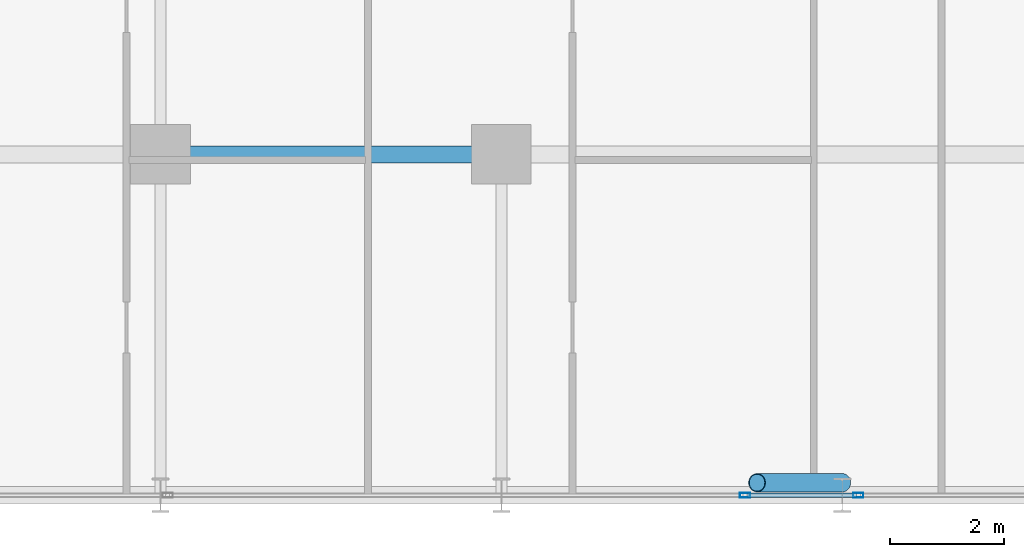
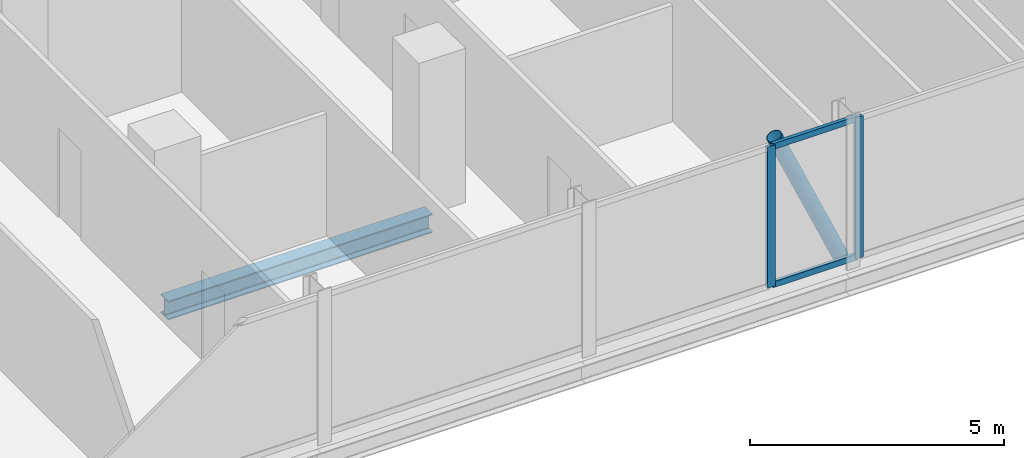
# One storey, part 8 of 30: 5 members, 1 beam, 2 elements without a shape of their own.
"""IFC4 building model written with IfcOpenShell, lengths in metres."""

from ifc_helpers import new_model, si_unit, direction, frame, origin, origin_2d, place, context, subcontext, project, spatial, hollow_rectangle, hollow_circle, i_section, extrude, material, layer, layer_set, material_profile, profile_set, type_object, element, aggregate, save


model = new_model("IFC4")

# Units and contexts
model_context = context("Model", 3, precision=1e-05, world=origin(), true_north=direction((0.0, 1.0)))
body_context = subcontext(model_context, "Body", "Model", "MODEL_VIEW")
ifc_project = project(units=[si_unit("LENGTHUNIT", "METRE"), si_unit("AREAUNIT", "SQUARE_METRE"), si_unit("VOLUMEUNIT", "CUBIC_METRE"), si_unit("PLANEANGLEUNIT", "RADIAN"), si_unit("MASSUNIT", "GRAM", prefix="KILO")], contexts=[model_context])

# Site, building, storey
site_placement = place(None, origin())
site = spatial("IfcSite", under=ifc_project, at=site_placement, CompositionType="ELEMENT")
building_placement = place(site_placement, origin())
building = spatial("IfcBuilding", under=site, at=building_placement, Name="Keshet Zoharim Tower", CompositionType="ELEMENT")
storey_placement = place(building_placement, frame((0.0, 0.0, 113.10009765625)))
storey = spatial("IfcBuildingStorey", under=building, at=storey_placement, Name="L27", CompositionType="ELEMENT", Elevation=113.10009765625)

# Beam
ifc_material_1 = material(Name="Steel S355", Category="steel")
ifc_material_profile_1 = material_profile(ifc_material_1, i_section(OverallWidth=0.300048828125, OverallDepth=0.449951171875, WebThickness=0.013916015625, FlangeThickness=0.02587890625, FilletRadius=0.027099609375, at=origin_2d()), Name="HEB450")
ifc_profile_set_1 = profile_set([ifc_material_profile_1], Name="Steel S355")
beam_type = type_object("IfcBeamType", Name="BM-WEB-HB450", PredefinedType="BEAM", material=ifc_profile_set_1)
beam_placement = place(storey_placement, frame((33.0, 6.699951171875, -0.5400390625), z_axis=(1.0, 0.0, 0.0), x_axis=(0.0, 1.0, 0.0)))
element("IfcBeam", 1, at=beam_placement, inside=storey, type_object=beam_type, Name="L27 Primary Girder X-007", PredefinedType="BEAM", context=body_context, shape_type="SweptSolid", body=[
    extrude(i_section(OverallWidth=0.300048828125, OverallDepth=0.449951171875, WebThickness=0.013916015625, FlangeThickness=0.02587890625, FilletRadius=0.027099609375, at=origin_2d()), origin(), (0.0, 0.0, 1.0), 6.0),
])

# Curtain wall, member
ifc_material_2 = material(Name="Aluminium 6063-T6", Category="aluminium")
ifc_layer = layer(ifc_material_2, 0.159912109375)
ifc_layer_set = layer_set([ifc_layer], Name="Aluminium 6063-T6")
curtain_wall_type = type_object("IfcCurtainWallType", Name="CW-SYS-03", PredefinedType="NOTDEFINED", material=ifc_layer_set)
curtain_wall_1_placement = place(storey_placement, origin())
curtain_wall_1 = element("IfcCurtainWall", 2, at=curtain_wall_1_placement, inside=storey, type_object=curtain_wall_type, Name="L27 Unitised Curtain Wall 03", PredefinedType="NOTDEFINED")
ifc_material_profile_2 = material_profile(ifc_material_2, hollow_rectangle(XDim=0.080078125, YDim=0.179931640625, WallThickness=0.00439453125, at=origin_2d()), Name="MUL-80x180")
ifc_profile_set_2 = profile_set([ifc_material_profile_2], Name="Aluminium 6063-T6")
member_type_1 = type_object("IfcMemberType", Name="CWM-M18", PredefinedType="MULLION", material=ifc_profile_set_2)
member_1_placement = place(storey_placement, frame((45.283203125, 0.699951171875, 0.0), z_axis=(0.0, 0.0, 1.0), x_axis=(0.0, -1.0, 0.0)))
member_1 = element("IfcMember", 3, at=member_1_placement, type_object=member_type_1, Name="CW-03 mullion 2", PredefinedType="MULLION", context=body_context, shape_type="SweptSolid", body=[
    extrude(hollow_rectangle(XDim=0.080078125, YDim=0.179931640625, WallThickness=0.00439453125, at=origin_2d()), origin(), (0.0, 0.0, 1.0), 3.385009765625),
])
aggregate(curtain_wall_1, [member_1])

# Curtain wall, members
curtain_wall_2_placement = place(storey_placement, origin())
curtain_wall_2 = element("IfcCurtainWall", 4, at=curtain_wall_2_placement, inside=storey, type_object=curtain_wall_type, Name="L27 Unitised Curtain Wall 03 Part 2", PredefinedType="NOTDEFINED")
member_2_placement = place(storey_placement, frame((43.286865234375, 0.699951171875, 0.0), z_axis=(0.0, 0.0, 1.0), x_axis=(0.0, -1.0, 0.0)))
member_2 = element("IfcMember", 5, at=member_2_placement, type_object=member_type_1, Name="CW-03 mullion 2", PredefinedType="MULLION", context=body_context, shape_type="SweptSolid", body=[
    extrude(hollow_rectangle(XDim=0.080078125, YDim=0.179931640625, WallThickness=0.00439453125, at=origin_2d()), origin(), (0.0, 0.0, 1.0), 3.385009765625),
])
ifc_material_profile_3 = material_profile(ifc_material_2, hollow_rectangle(XDim=0.080078125, YDim=0.139892578125, WallThickness=0.00390625, at=origin_2d()), Name="TRN-80x140")
ifc_profile_set_3 = profile_set([ifc_material_profile_3], Name="Aluminium 6063-T6")
member_type_2 = type_object("IfcMemberType", Name="CWT-T14", PredefinedType="USERDEFINED", material=ifc_profile_set_3)
member_3_placement = place(storey_placement, frame((45.248046875, 0.699951171875, 0.034912109375), z_axis=(-1.0, 0.0, 0.0), x_axis=(0.0, -1.0, 0.0)))
member_3 = element("IfcMember", 6, at=member_3_placement, type_object=member_type_2, Name="CW-03 transom 1.1", ObjectType="TRANSOM", PredefinedType="USERDEFINED", context=body_context, shape_type="SweptSolid", body=[
    extrude(hollow_rectangle(XDim=0.080078125, YDim=0.139892578125, WallThickness=0.00390625, at=origin_2d()), origin(), (0.0, 0.0, 1.0), 1.926025390625),
])
member_4_placement = place(storey_placement, frame((45.248046875, 0.699951171875, 3.349853515625), z_axis=(-1.0, 0.0, 0.0), x_axis=(0.0, -1.0, 0.0)))
member_4 = element("IfcMember", 7, at=member_4_placement, type_object=member_type_2, Name="CW-03 transom 1.2", ObjectType="TRANSOM", PredefinedType="USERDEFINED", context=body_context, shape_type="SweptSolid", body=[
    extrude(hollow_rectangle(XDim=0.080078125, YDim=0.139892578125, WallThickness=0.00390625, at=origin_2d()), origin(), (0.0, 0.0, 1.0), 1.926025390625),
])
aggregate(curtain_wall_2, [member_2, member_3, member_4])

# Member
ifc_material_profile_4 = material_profile(ifc_material_1, hollow_circle(Radius=0.161865234375, WallThickness=0.012451171875, at=origin_2d()), Name="CHS323x12.5")
ifc_profile_set_4 = profile_set([ifc_material_profile_4], Name="Steel S355")
member_type_3 = type_object("IfcMemberType", Name="MB-BR-C323", PredefinedType="BRACE", material=ifc_profile_set_4)
member_5_placement = place(storey_placement, frame((45.0, 0.919921875, 0.0), z_axis=(-0.405134846829, 0.0, 0.91425694194), x_axis=(0.0, -1.0, 0.0)))
element("IfcMember", 8, at=member_5_placement, inside=storey, type_object=member_type_3, Name="L27 Perimeter Tube Brace 04", PredefinedType="BRACE", context=body_context, shape_type="SweptSolid", body=[
    extrude(hollow_circle(Radius=0.161865234375, WallThickness=0.012451171875, at=origin_2d()), origin(), (0.0, 0.0, 1.0), 3.702392578125),
])

save(model, "model.ifc")
